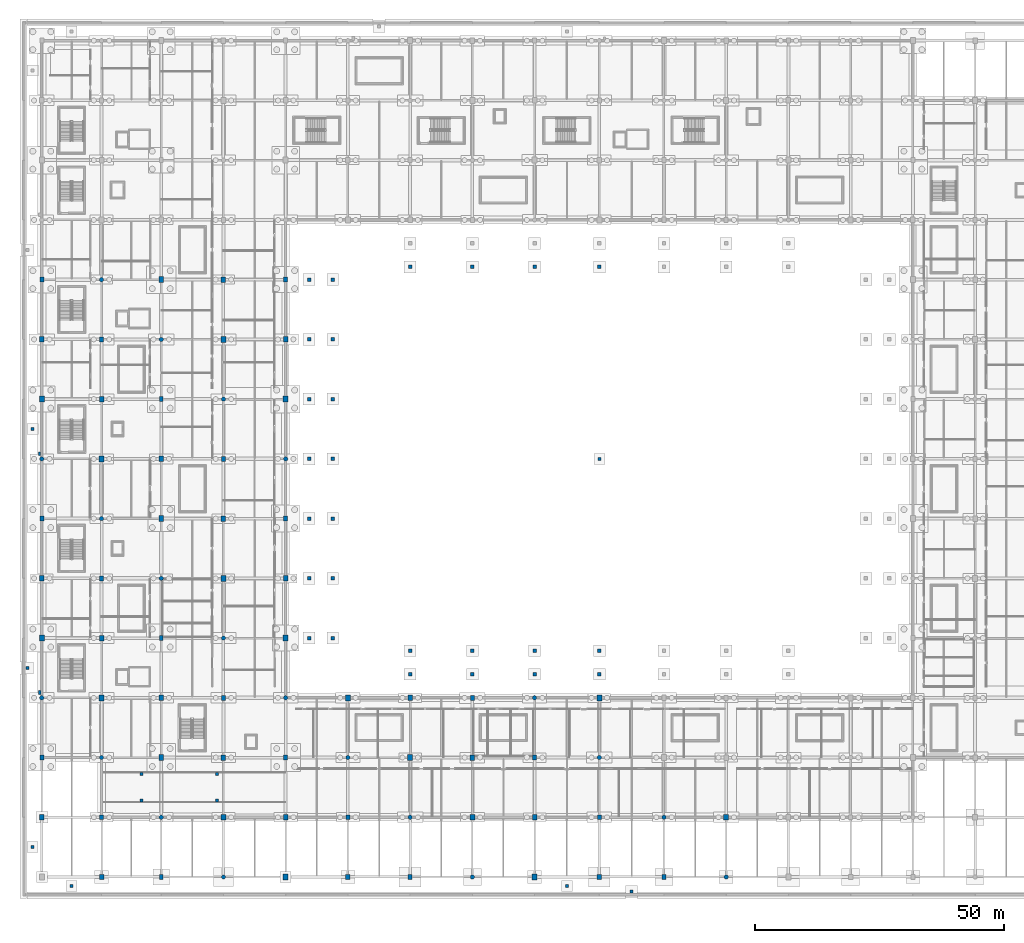
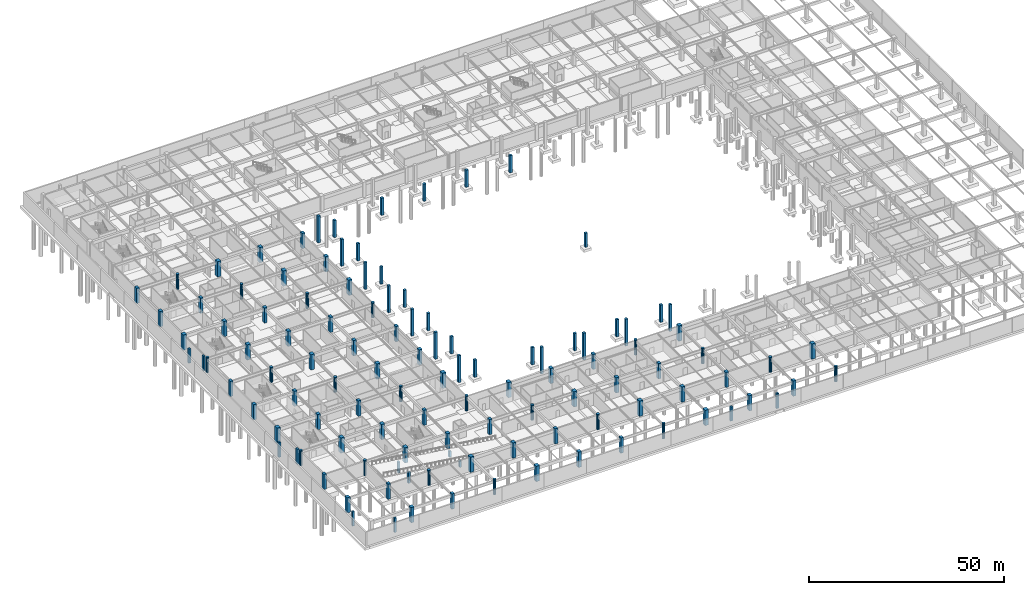
# One storey, part 12 of 56: 117 columns.
"""IFC4 building model written with IfcOpenShell, lengths in metres."""

from ifc_helpers import new_model, si_unit, direction, frame, origin, origin_2d, place, context, subcontext, project, spatial, rectangle, circle, extrude, material, material_profile, profile_set, type_object, element, save


model = new_model("IFC4")

# Units and contexts
model_context = context("Model", 3, precision=1e-05, world=origin(), true_north=direction((0.0, 1.0)))
body_context = subcontext(model_context, "Body", "Model", "MODEL_VIEW")
ifc_project = project(units=[si_unit("LENGTHUNIT", "METRE"), si_unit("AREAUNIT", "SQUARE_METRE"), si_unit("VOLUMEUNIT", "CUBIC_METRE"), si_unit("PLANEANGLEUNIT", "RADIAN"), si_unit("MASSUNIT", "GRAM", prefix="KILO")], contexts=[model_context])

# Site, building, storey
site_placement = place(None, origin())
site = spatial("IfcSite", under=ifc_project, at=site_placement, CompositionType="ELEMENT")
building_placement = place(site_placement, origin())
building = spatial("IfcBuilding", under=site, at=building_placement, Name="Kazenohara Klinker Stadium", CompositionType="ELEMENT")
storey_placement = place(building_placement, frame((0.0, 0.0, -4.800048828125)))
storey = spatial("IfcBuildingStorey", under=building, at=storey_placement, Name="B01", CompositionType="ELEMENT", Elevation=-4.800048828125)

# Columns
ifc_material = material(Name="Concrete C40/50", Category="concrete")
ifc_material_profile_1 = material_profile(ifc_material, rectangle(XDim=1.0, YDim=1.199951171875, at=origin_2d()), Name="RC-COL-1200x1000")
ifc_profile_set_1 = profile_set([ifc_material_profile_1], Name="Concrete C40/50")
column_type_1 = type_object("IfcColumnType", Name="COL-RC01", PredefinedType="COLUMN", material=ifc_profile_set_1)
for number, where, z_axis, x_axis, name in (
    (1, (0.0, 48.0, 0.0), (0.0, 0.0, 1.0), (1.0, 0.0, 0.0), "Column C01 B01 1/E"),
    (2, (0.0, 96.0, 0.0), (0.0, 0.0, 1.0), (1.0, 0.0, 0.0), "Column C01 B01 1/J"),
    (3, (12.0, 36.0, 0.0), (0.0, 0.0, 1.0), (1.0, 0.0, 0.0), "Column C01 B01 2/D"),
    (4, (12.0, 84.0, 0.0), (0.0, 0.0, 1.0), (1.0, 0.0, 0.0), "Column C01 B01 2/H"),
    (5, (24.0, 24.0, 0.0), (0.0, 0.0, 1.0), (1.0, 0.0, 0.0), "Column C01 B01 3/C"),
    (6, (24.0, 72.0, 0.0), (0.0, 0.0, 1.0), (1.0, 0.0, 0.0), "Column C01 B01 3/G"),
    (7, (24.0, 120.0, 0.0), (0.0, 0.0, 1.0), (1.0, 0.0, 0.0), "Column C01 B01 3/L"),
    (8, (36.5, 12.0, 0.0), (0.0, 0.0, 1.0), (1.0, 0.0, 0.0), "Column C01 B01 4/B"),
    (9, (36.5, 60.0, 0.0), (0.0, 0.0, 1.0), (1.0, 0.0, 0.0), "Column C01 B01 4/F"),
    (10, (36.5, 108.0, 0.0), (0.0, 0.0, 1.0), (1.0, 0.0, 0.0), "Column C01 B01 4/K"),
    (11, (49.0, 0.0, 0.0), (0.0, 0.0, 1.0), (1.0, 0.0, 0.0), "Column C01 B01 5/A"),
    (12, (49.0, 48.0, 0.0), (0.0, 0.0, 1.0), (1.0, 0.0, 0.0), "Column C01 B01 5/E"),
    (13, (49.0, 96.0, 0.0), (0.0, 0.0, 1.0), (1.0, 0.0, 0.0), "Column C01 B01 5/J"),
    (14, (61.5, 36.0, 0.0), (0.0, 0.0, 1.0), (1.0, 0.0, 0.0), "Column C01 B01 6/D"),
    (15, (74.0, 24.0, 0.0), (0.0, 0.0, 1.0), (1.0, 0.0, 0.0), "Column C01 B01 7/C"),
    (16, (86.5, 12.0, 0.0), (0.0, 0.0, 1.0), (1.0, 0.0, 0.0), "Column C01 B01 8/B"),
    (17, (99.0, 0.0, 0.0), (0.0, 0.0, 1.0), (1.0, 0.0, 0.0), "Column C01 B01 9/A"),
    (18, (112.0, 36.0, 0.0), (0.0, 0.0, 1.0), (1.0, 0.0, 0.0), "Column C01 B01 10/D"),
    (19, (137.5, 12.0, 0.0), (0.0, 0.0, 1.0), (1.0, 0.0, 0.0), "Column C01 B01 12/B"),
):
    element("IfcColumn", number, at=place(storey_placement, frame(where, z_axis=z_axis, x_axis=x_axis)), inside=storey, type_object=column_type_1, Name=name, PredefinedType="COLUMN", context=body_context, shape_type="SweptSolid", body=[
        extrude(rectangle(XDim=1.0, YDim=1.199951171875, at=origin_2d()), origin(), (0.0, 0.0, 1.0), 4.800048828125),
    ])
ifc_material_profile_2 = material_profile(ifc_material, rectangle(XDim=0.89990234375, YDim=1.10009765625, at=origin_2d()), Name="RC-COL-1100x900")
ifc_profile_set_2 = profile_set([ifc_material_profile_2], Name="Concrete C40/50")
column_type_2 = type_object("IfcColumnType", Name="COL-RC02", PredefinedType="COLUMN", material=ifc_profile_set_2)
for number, where, z_axis, x_axis, name in (
    (20, (0.0, 12.0, 0.0), (0.0, 0.0, 1.0), (1.0, 0.0, 0.0), "Column C02 B01 1/B"),
    (21, (0.0, 60.0, 0.0), (0.0, 0.0, 1.0), (1.0, 0.0, 0.0), "Column C02 B01 1/F"),
    (22, (0.0, 108.0, 0.0), (0.0, 0.0, 1.0), (1.0, 0.0, 0.0), "Column C02 B01 1/K"),
    (23, (12.0, 0.0, 0.0), (0.0, 0.0, 1.0), (1.0, 0.0, 0.0), "Column C02 B01 2/A"),
    (24, (12.0, 48.0, 0.0), (0.0, 0.0, 1.0), (1.0, 0.0, 0.0), "Column C02 B01 2/E"),
    (25, (12.0, 96.0, 0.0), (0.0, 0.0, 1.0), (1.0, 0.0, 0.0), "Column C02 B01 2/J"),
    (26, (24.0, 36.0, 0.0), (0.0, 0.0, 1.0), (1.0, 0.0, 0.0), "Column C02 B01 3/D"),
    (27, (24.0, 84.0, 0.0), (0.0, 0.0, 1.0), (1.0, 0.0, 0.0), "Column C02 B01 3/H"),
    (28, (36.5, 24.0, 0.0), (0.0, 0.0, 1.0), (1.0, 0.0, 0.0), "Column C02 B01 4/C"),
    (29, (36.5, 72.0, 0.0), (0.0, 0.0, 1.0), (1.0, 0.0, 0.0), "Column C02 B01 4/G"),
    (30, (36.5, 120.0, 0.0), (0.0, 0.0, 1.0), (1.0, 0.0, 0.0), "Column C02 B01 4/L"),
    (31, (49.0, 12.0, 0.0), (0.0, 0.0, 1.0), (1.0, 0.0, 0.0), "Column C02 B01 5/B"),
    (32, (49.0, 60.0, 0.0), (0.0, 0.0, 1.0), (1.0, 0.0, 0.0), "Column C02 B01 5/F"),
    (33, (49.0, 108.0, 0.0), (0.0, 0.0, 1.0), (1.0, 0.0, 0.0), "Column C02 B01 5/K"),
    (34, (61.5, 0.0, 0.0), (0.0, 0.0, 1.0), (1.0, 0.0, 0.0), "Column C02 B01 6/A"),
    (35, (74.0, 36.0, 0.0), (0.0, 0.0, 1.0), (1.0, 0.0, 0.0), "Column C02 B01 7/D"),
    (36, (86.5, 24.0, 0.0), (0.0, 0.0, 1.0), (1.0, 0.0, 0.0), "Column C02 B01 8/C"),
    (37, (99.0, 12.0, 0.0), (0.0, 0.0, 1.0), (1.0, 0.0, 0.0), "Column C02 B01 9/B"),
    (38, (112.0, 0.0, 0.0), (0.0, 0.0, 1.0), (1.0, 0.0, 0.0), "Column C02 B01 10/A"),
):
    element("IfcColumn", number, at=place(storey_placement, frame(where, z_axis=z_axis, x_axis=x_axis)), inside=storey, type_object=column_type_2, Name=name, PredefinedType="COLUMN", context=body_context, shape_type="SweptSolid", body=[
        extrude(rectangle(XDim=0.89990234375, YDim=1.10009765625, at=origin_2d()), origin(), (0.0, 0.0, 1.0), 4.800048828125),
    ])
ifc_material_profile_3 = material_profile(ifc_material, rectangle(XDim=0.800048828125, YDim=1.0, at=origin_2d()), Name="RC-COL-1000x800")
ifc_profile_set_3 = profile_set([ifc_material_profile_3], Name="Concrete C40/50")
column_type_3 = type_object("IfcColumnType", Name="COL-RC03", PredefinedType="COLUMN", material=ifc_profile_set_3)
for number, where, z_axis, x_axis, name in (
    (39, (0.0, 24.0, 0.0), (0.0, 0.0, 1.0), (1.0, 0.0, 0.0), "Column C03 B01 1/C"),
    (40, (0.0, 72.0, 0.0), (0.0, 0.0, 1.0), (1.0, 0.0, 0.0), "Column C03 B01 1/G"),
    (41, (0.0, 120.0, 0.0), (0.0, 0.0, 1.0), (1.0, 0.0, 0.0), "Column C03 B01 1/L"),
    (42, (12.0, 12.0, 0.0), (0.0, 0.0, 1.0), (1.0, 0.0, 0.0), "Column C03 B01 2/B"),
    (43, (12.0, 60.0, 0.0), (0.0, 0.0, 1.0), (1.0, 0.0, 0.0), "Column C03 B01 2/F"),
    (44, (12.0, 108.0, 0.0), (0.0, 0.0, 1.0), (1.0, 0.0, 0.0), "Column C03 B01 2/K"),
    (45, (24.0, 0.0, 0.0), (0.0, 0.0, 1.0), (1.0, 0.0, 0.0), "Column C03 B01 3/A"),
    (46, (24.0, 48.0, 0.0), (0.0, 0.0, 1.0), (1.0, 0.0, 0.0), "Column C03 B01 3/E"),
    (47, (24.0, 96.0, 0.0), (0.0, 0.0, 1.0), (1.0, 0.0, 0.0), "Column C03 B01 3/J"),
    (48, (36.5, 36.0, 0.0), (0.0, 0.0, 1.0), (1.0, 0.0, 0.0), "Column C03 B01 4/D"),
    (49, (36.5, 84.0, 0.0), (0.0, 0.0, 1.0), (1.0, 0.0, 0.0), "Column C03 B01 4/H"),
    (50, (49.0, 24.0, 0.0), (0.0, 0.0, 1.0), (1.0, 0.0, 0.0), "Column C03 B01 5/C"),
    (51, (49.0, 72.0, 0.0), (0.0, 0.0, 1.0), (1.0, 0.0, 0.0), "Column C03 B01 5/G"),
    (52, (49.0, 120.0, 0.0), (0.0, 0.0, 1.0), (1.0, 0.0, 0.0), "Column C03 B01 5/L"),
    (53, (61.5, 12.0, 0.0), (0.0, 0.0, 1.0), (1.0, 0.0, 0.0), "Column C03 B01 6/B"),
    (54, (74.0, 0.0, 0.0), (0.0, 0.0, 1.0), (1.0, 0.0, 0.0), "Column C03 B01 7/A"),
    (55, (86.5, 36.0, 0.0), (0.0, 0.0, 1.0), (1.0, 0.0, 0.0), "Column C03 B01 8/D"),
    (56, (99.0, 24.0, 0.0), (0.0, 0.0, 1.0), (1.0, 0.0, 0.0), "Column C03 B01 9/C"),
    (57, (112.0, 12.0, 0.0), (0.0, 0.0, 1.0), (1.0, 0.0, 0.0), "Column C03 B01 10/B"),
    (58, (125.0, 0.0, 0.0), (0.0, 0.0, 1.0), (1.0, 0.0, 0.0), "Column C03 B01 11/A"),
):
    element("IfcColumn", number, at=place(storey_placement, frame(where, z_axis=z_axis, x_axis=x_axis)), inside=storey, type_object=column_type_3, Name=name, PredefinedType="COLUMN", context=body_context, shape_type="SweptSolid", body=[
        extrude(rectangle(XDim=0.800048828125, YDim=1.0, at=origin_2d()), origin(), (0.0, 0.0, 1.0), 4.800048828125),
    ])
ifc_material_profile_4 = material_profile(ifc_material, rectangle(XDim=0.699951171875, YDim=0.699951171875, at=origin_2d()), Name="RC-COL-700x700")
ifc_profile_set_4 = profile_set([ifc_material_profile_4], Name="Concrete C40/50")
column_type_4 = type_object("IfcColumnType", Name="COL-RC06", PredefinedType="COLUMN", material=ifc_profile_set_4)
column_1_placement = place(storey_placement, frame((58.449951171875, 48.0, 0.0), z_axis=(0.0, 0.0, 1.0), x_axis=(1.0, 0.0, 0.0)))
element("IfcColumn", 59, at=column_1_placement, inside=storey, type_object=column_type_4, Name="Bowl moat raker pier C06 W-E", PredefinedType="COLUMN", context=body_context, shape_type="SweptSolid", body=[
    extrude(rectangle(XDim=0.699951171875, YDim=0.699951171875, at=origin_2d()), origin(), (0.0, 0.0, 1.0), 5.4013671875),
])
column_2_placement = place(storey_placement, frame((53.72509765625, 48.0, 0.0), z_axis=(0.0, 0.0, 1.0), x_axis=(1.0, 0.0, 0.0)))
element("IfcColumn", 60, at=column_2_placement, inside=storey, type_object=column_type_4, Name="Bowl mid-raker pier C06 W-E", PredefinedType="COLUMN", context=body_context, shape_type="SweptSolid", body=[
    extrude(rectangle(XDim=0.699951171875, YDim=0.699951171875, at=origin_2d()), origin(), (0.0, 0.0, 1.0), 8.4013671875),
])
column_3_placement = place(storey_placement, frame((58.449951171875, 60.0, 0.0), z_axis=(0.0, 0.0, 1.0), x_axis=(1.0, 0.0, 0.0)))
element("IfcColumn", 61, at=column_3_placement, inside=storey, type_object=column_type_4, Name="Bowl moat raker pier C06 W-F", PredefinedType="COLUMN", context=body_context, shape_type="SweptSolid", body=[
    extrude(rectangle(XDim=0.699951171875, YDim=0.699951171875, at=origin_2d()), origin(), (0.0, 0.0, 1.0), 5.4013671875),
])
column_4_placement = place(storey_placement, frame((53.72509765625, 60.0, 0.0), z_axis=(0.0, 0.0, 1.0), x_axis=(1.0, 0.0, 0.0)))
element("IfcColumn", 62, at=column_4_placement, inside=storey, type_object=column_type_4, Name="Bowl mid-raker pier C06 W-F", PredefinedType="COLUMN", context=body_context, shape_type="SweptSolid", body=[
    extrude(rectangle(XDim=0.699951171875, YDim=0.699951171875, at=origin_2d()), origin(), (0.0, 0.0, 1.0), 8.4013671875),
])
column_5_placement = place(storey_placement, frame((58.449951171875, 72.0, 0.0), z_axis=(0.0, 0.0, 1.0), x_axis=(1.0, 0.0, 0.0)))
element("IfcColumn", 63, at=column_5_placement, inside=storey, type_object=column_type_4, Name="Bowl moat raker pier C06 W-G", PredefinedType="COLUMN", context=body_context, shape_type="SweptSolid", body=[
    extrude(rectangle(XDim=0.699951171875, YDim=0.699951171875, at=origin_2d()), origin(), (0.0, 0.0, 1.0), 5.4013671875),
])
column_6_placement = place(storey_placement, frame((53.72509765625, 72.0, 0.0), z_axis=(0.0, 0.0, 1.0), x_axis=(1.0, 0.0, 0.0)))
element("IfcColumn", 64, at=column_6_placement, inside=storey, type_object=column_type_4, Name="Bowl mid-raker pier C06 W-G", PredefinedType="COLUMN", context=body_context, shape_type="SweptSolid", body=[
    extrude(rectangle(XDim=0.699951171875, YDim=0.699951171875, at=origin_2d()), origin(), (0.0, 0.0, 1.0), 8.4013671875),
])
column_7_placement = place(storey_placement, frame((58.449951171875, 84.0, 0.0), z_axis=(0.0, 0.0, 1.0), x_axis=(1.0, 0.0, 0.0)))
element("IfcColumn", 65, at=column_7_placement, inside=storey, type_object=column_type_4, Name="Bowl moat raker pier C06 W-H", PredefinedType="COLUMN", context=body_context, shape_type="SweptSolid", body=[
    extrude(rectangle(XDim=0.699951171875, YDim=0.699951171875, at=origin_2d()), origin(), (0.0, 0.0, 1.0), 5.4013671875),
])
column_8_placement = place(storey_placement, frame((53.72509765625, 84.0, 0.0), z_axis=(0.0, 0.0, 1.0), x_axis=(1.0, 0.0, 0.0)))
element("IfcColumn", 66, at=column_8_placement, inside=storey, type_object=column_type_4, Name="Bowl mid-raker pier C06 W-H", PredefinedType="COLUMN", context=body_context, shape_type="SweptSolid", body=[
    extrude(rectangle(XDim=0.699951171875, YDim=0.699951171875, at=origin_2d()), origin(), (0.0, 0.0, 1.0), 8.4013671875),
])
column_9_placement = place(storey_placement, frame((58.449951171875, 96.0, 0.0), z_axis=(0.0, 0.0, 1.0), x_axis=(1.0, 0.0, 0.0)))
element("IfcColumn", 67, at=column_9_placement, inside=storey, type_object=column_type_4, Name="Bowl moat raker pier C06 W-J", PredefinedType="COLUMN", context=body_context, shape_type="SweptSolid", body=[
    extrude(rectangle(XDim=0.699951171875, YDim=0.699951171875, at=origin_2d()), origin(), (0.0, 0.0, 1.0), 5.4013671875),
])
column_10_placement = place(storey_placement, frame((53.72509765625, 96.0, 0.0), z_axis=(0.0, 0.0, 1.0), x_axis=(1.0, 0.0, 0.0)))
element("IfcColumn", 68, at=column_10_placement, inside=storey, type_object=column_type_4, Name="Bowl mid-raker pier C06 W-J", PredefinedType="COLUMN", context=body_context, shape_type="SweptSolid", body=[
    extrude(rectangle(XDim=0.699951171875, YDim=0.699951171875, at=origin_2d()), origin(), (0.0, 0.0, 1.0), 8.4013671875),
])
column_11_placement = place(storey_placement, frame((58.449951171875, 108.0, 0.0), z_axis=(0.0, 0.0, 1.0), x_axis=(1.0, 0.0, 0.0)))
element("IfcColumn", 69, at=column_11_placement, inside=storey, type_object=column_type_4, Name="Bowl moat raker pier C06 W-K", PredefinedType="COLUMN", context=body_context, shape_type="SweptSolid", body=[
    extrude(rectangle(XDim=0.699951171875, YDim=0.699951171875, at=origin_2d()), origin(), (0.0, 0.0, 1.0), 5.4013671875),
])
column_12_placement = place(storey_placement, frame((53.72509765625, 108.0, 0.0), z_axis=(0.0, 0.0, 1.0), x_axis=(1.0, 0.0, 0.0)))
element("IfcColumn", 70, at=column_12_placement, inside=storey, type_object=column_type_4, Name="Bowl mid-raker pier C06 W-K", PredefinedType="COLUMN", context=body_context, shape_type="SweptSolid", body=[
    extrude(rectangle(XDim=0.699951171875, YDim=0.699951171875, at=origin_2d()), origin(), (0.0, 0.0, 1.0), 8.4013671875),
])
column_13_placement = place(storey_placement, frame((58.449951171875, 120.0, 0.0), z_axis=(0.0, 0.0, 1.0), x_axis=(1.0, 0.0, 0.0)))
element("IfcColumn", 71, at=column_13_placement, inside=storey, type_object=column_type_4, Name="Bowl moat raker pier C06 W-L", PredefinedType="COLUMN", context=body_context, shape_type="SweptSolid", body=[
    extrude(rectangle(XDim=0.699951171875, YDim=0.699951171875, at=origin_2d()), origin(), (0.0, 0.0, 1.0), 5.4013671875),
])
column_14_placement = place(storey_placement, frame((53.72509765625, 120.0, 0.0), z_axis=(0.0, 0.0, 1.0), x_axis=(1.0, 0.0, 0.0)))
element("IfcColumn", 72, at=column_14_placement, inside=storey, type_object=column_type_4, Name="Bowl mid-raker pier C06 W-L", PredefinedType="COLUMN", context=body_context, shape_type="SweptSolid", body=[
    extrude(rectangle(XDim=0.699951171875, YDim=0.699951171875, at=origin_2d()), origin(), (0.0, 0.0, 1.0), 8.4013671875),
])
column_15_placement = place(storey_placement, frame((74.0, 45.449951171875, 0.0), z_axis=(0.0, 0.0, 1.0), x_axis=(1.0, 0.0, 0.0)))
element("IfcColumn", 73, at=column_15_placement, inside=storey, type_object=column_type_4, Name="Bowl moat raker pier C06 S-7", PredefinedType="COLUMN", context=body_context, shape_type="SweptSolid", body=[
    extrude(rectangle(XDim=0.699951171875, YDim=0.699951171875, at=origin_2d()), origin(), (0.0, 0.0, 1.0), 5.4013671875),
])
column_16_placement = place(storey_placement, frame((74.0, 40.72509765625, 0.0), z_axis=(0.0, 0.0, 1.0), x_axis=(1.0, 0.0, 0.0)))
element("IfcColumn", 74, at=column_16_placement, inside=storey, type_object=column_type_4, Name="Bowl mid-raker pier C06 S-7", PredefinedType="COLUMN", context=body_context, shape_type="SweptSolid", body=[
    extrude(rectangle(XDim=0.699951171875, YDim=0.699951171875, at=origin_2d()), origin(), (0.0, 0.0, 1.0), 8.4013671875),
])
for number, where, z_axis, x_axis, name in (
    (75, (74.0, 122.550048828125, 0.0), (0.0, 0.0, 1.0), (1.0, 0.0, 0.0), "Bowl moat raker pier C06 N-7"),
    (76, (86.5, 45.449951171875, 0.0), (0.0, 0.0, 1.0), (1.0, 0.0, 0.0), "Bowl moat raker pier C06 S-8"),
):
    element("IfcColumn", number, at=place(storey_placement, frame(where, z_axis=z_axis, x_axis=x_axis)), inside=storey, type_object=column_type_4, Name=name, PredefinedType="COLUMN", context=body_context, shape_type="SweptSolid", body=[
        extrude(rectangle(XDim=0.699951171875, YDim=0.699951171875, at=origin_2d()), origin(), (0.0, 0.0, 1.0), 5.4013671875),
    ])
column_17_placement = place(storey_placement, frame((86.5, 40.72509765625, 0.0), z_axis=(0.0, 0.0, 1.0), x_axis=(1.0, 0.0, 0.0)))
element("IfcColumn", 77, at=column_17_placement, inside=storey, type_object=column_type_4, Name="Bowl mid-raker pier C06 S-8", PredefinedType="COLUMN", context=body_context, shape_type="SweptSolid", body=[
    extrude(rectangle(XDim=0.699951171875, YDim=0.699951171875, at=origin_2d()), origin(), (0.0, 0.0, 1.0), 8.4013671875),
])
for number, where, z_axis, x_axis, name in (
    (78, (86.5, 122.550048828125, 0.0), (0.0, 0.0, 1.0), (1.0, 0.0, 0.0), "Bowl moat raker pier C06 N-8"),
    (79, (99.0, 45.449951171875, 0.0), (0.0, 0.0, 1.0), (1.0, 0.0, 0.0), "Bowl moat raker pier C06 S-9"),
):
    element("IfcColumn", number, at=place(storey_placement, frame(where, z_axis=z_axis, x_axis=x_axis)), inside=storey, type_object=column_type_4, Name=name, PredefinedType="COLUMN", context=body_context, shape_type="SweptSolid", body=[
        extrude(rectangle(XDim=0.699951171875, YDim=0.699951171875, at=origin_2d()), origin(), (0.0, 0.0, 1.0), 5.4013671875),
    ])
column_18_placement = place(storey_placement, frame((99.0, 40.72509765625, 0.0), z_axis=(0.0, 0.0, 1.0), x_axis=(1.0, 0.0, 0.0)))
element("IfcColumn", 80, at=column_18_placement, inside=storey, type_object=column_type_4, Name="Bowl mid-raker pier C06 S-9", PredefinedType="COLUMN", context=body_context, shape_type="SweptSolid", body=[
    extrude(rectangle(XDim=0.699951171875, YDim=0.699951171875, at=origin_2d()), origin(), (0.0, 0.0, 1.0), 8.4013671875),
])
for number, where, z_axis, x_axis, name in (
    (81, (99.0, 122.550048828125, 0.0), (0.0, 0.0, 1.0), (1.0, 0.0, 0.0), "Bowl moat raker pier C06 N-9"),
    (82, (112.0, 45.449951171875, 0.0), (0.0, 0.0, 1.0), (1.0, 0.0, 0.0), "Bowl moat raker pier C06 S-10"),
):
    element("IfcColumn", number, at=place(storey_placement, frame(where, z_axis=z_axis, x_axis=x_axis)), inside=storey, type_object=column_type_4, Name=name, PredefinedType="COLUMN", context=body_context, shape_type="SweptSolid", body=[
        extrude(rectangle(XDim=0.699951171875, YDim=0.699951171875, at=origin_2d()), origin(), (0.0, 0.0, 1.0), 5.4013671875),
    ])
column_19_placement = place(storey_placement, frame((112.0, 40.72509765625, 0.0), z_axis=(0.0, 0.0, 1.0), x_axis=(1.0, 0.0, 0.0)))
element("IfcColumn", 83, at=column_19_placement, inside=storey, type_object=column_type_4, Name="Bowl mid-raker pier C06 S-10", PredefinedType="COLUMN", context=body_context, shape_type="SweptSolid", body=[
    extrude(rectangle(XDim=0.699951171875, YDim=0.699951171875, at=origin_2d()), origin(), (0.0, 0.0, 1.0), 8.4013671875),
])
column_20_placement = place(storey_placement, frame((112.0, 122.550048828125, 0.0), z_axis=(0.0, 0.0, 1.0), x_axis=(1.0, 0.0, 0.0)))
element("IfcColumn", 84, at=column_20_placement, inside=storey, type_object=column_type_4, Name="Bowl moat raker pier C06 N-10", PredefinedType="COLUMN", context=body_context, shape_type="SweptSolid", body=[
    extrude(rectangle(XDim=0.699951171875, YDim=0.699951171875, at=origin_2d()), origin(), (0.0, 0.0, 1.0), 5.4013671875),
])
ifc_material_profile_5 = material_profile(ifc_material, rectangle(XDim=0.60009765625, YDim=0.60009765625, at=origin_2d()), Name="RC-COL-600x600")
ifc_profile_set_5 = profile_set([ifc_material_profile_5], Name="Concrete C40/50")
column_type_5 = type_object("IfcColumnType", Name="COL-RC07", PredefinedType="COLUMN", material=ifc_profile_set_5)
for number, where, z_axis, x_axis, name in (
    (85, (-1.85009765625, 6.0, 0.0), (0.0, 0.0, 1.0), (1.0, 0.0, 0.0), "Exterior plinth support pier C07 PLAZA-WEST-1"),
    (86, (-1.85009765625, 90.0, 0.0), (0.0, 0.0, 1.0), (1.0, 0.0, 0.0), "Exterior plinth support pier C07 PLAZA-WEST-2"),
    (87, (6.0, -1.85009765625, 0.0), (0.0, 0.0, 1.0), (1.0, 0.0, 0.0), "Exterior plinth support pier C07 PLAZA-SOUTH-1"),
    (88, (105.5, -1.85009765625, 0.0), (0.0, 0.0, 1.0), (1.0, 0.0, 0.0), "Exterior plinth support pier C07 PLAZA-SOUTH-2"),
    (89, (112.0, 84.0, 0.0), (0.0, 0.0, 1.0), (1.0, 0.0, 0.0), "Exterior plinth support pier C07 PITCH-BOWL-TURF-1"),
):
    element("IfcColumn", number, at=place(storey_placement, frame(where, z_axis=z_axis, x_axis=x_axis)), inside=storey, type_object=column_type_5, Name=name, PredefinedType="COLUMN", context=body_context, shape_type="SweptSolid", body=[
        extrude(rectangle(XDim=0.60009765625, YDim=0.60009765625, at=origin_2d()), origin(), (0.0, 0.0, 1.0), 4.4599609375),
    ])
for number, where, z_axis, x_axis, name in (
    (90, (20.0, 15.35009765625, 0.0), (0.0, 0.0, 1.0), (1.0, 0.0, 0.0), "Vehicle ramp RV01 RC support pier 1"),
    (91, (20.0, 20.64990234375, 0.0), (0.0, 0.0, 1.0), (1.0, 0.0, 0.0), "Vehicle ramp RV01 RC support pier 2"),
):
    element("IfcColumn", number, at=place(storey_placement, frame(where, z_axis=z_axis, x_axis=x_axis)), inside=storey, type_object=column_type_5, Name=name, PredefinedType="COLUMN", context=body_context, shape_type="SweptSolid", body=[
        extrude(rectangle(XDim=0.60009765625, YDim=0.60009765625, at=origin_2d()), origin(), (0.0, 0.0, 1.0), 3.522216796875),
    ])
for number, where, z_axis, x_axis, name in (
    (92, (35.199951171875, 15.35009765625, -0.300048828125), (0.0, 0.0, 1.0), (1.0, 0.0, 0.0), "Vehicle ramp RV01 RC support pier 3"),
    (93, (35.199951171875, 20.64990234375, -0.300048828125), (0.0, 0.0, 1.0), (1.0, 0.0, 0.0), "Vehicle ramp RV01 RC support pier 4"),
):
    element("IfcColumn", number, at=place(storey_placement, frame(where, z_axis=z_axis, x_axis=x_axis)), inside=storey, type_object=column_type_5, Name=name, PredefinedType="COLUMN", context=body_context, shape_type="SweptSolid", body=[
        extrude(rectangle(XDim=0.60009765625, YDim=0.60009765625, at=origin_2d()), origin(), (0.0, 0.0, 1.0), 1.82666015625),
    ])
for number, where, z_axis, x_axis, name in (
    (94, (-2.89990234375, 42.0, 0.0), (0.0, 0.0, 1.0), (1.0, 0.0, 0.0), "Barrier-free ramp support pier W1"),
    (95, (118.5, -2.89990234375, 0.0), (0.0, 0.0, 1.0), (1.0, 0.0, 0.0), "Barrier-free ramp support pier S1"),
):
    element("IfcColumn", number, at=place(storey_placement, frame(where, z_axis=z_axis, x_axis=x_axis)), inside=storey, type_object=column_type_5, Name=name, PredefinedType="COLUMN", context=body_context, shape_type="SweptSolid", body=[
        extrude(rectangle(XDim=0.60009765625, YDim=0.60009765625, at=origin_2d()), origin(), (0.0, 0.0, 1.0), 4.699951171875),
    ])
ifc_material_profile_6 = material_profile(ifc_material, circle(Radius=0.425048828125, at=origin_2d()), Name="RC-COL-D850")
ifc_profile_set_6 = profile_set([ifc_material_profile_6], Name="Concrete C40/50")
column_type_6 = type_object("IfcColumnType", Name="COL-RC08", PredefinedType="COLUMN", material=ifc_profile_set_6)
for number, where, z_axis, x_axis, name in (
    (96, (0.0, 36.0, 0.0), (0.0, 0.0, 1.0), (1.0, 0.0, 0.0), "Column C08 B01 1/D"),
    (97, (0.0, 84.0, 0.0), (0.0, 0.0, 1.0), (1.0, 0.0, 0.0), "Column C08 B01 1/H"),
    (98, (12.0, 24.0, 0.0), (0.0, 0.0, 1.0), (1.0, 0.0, 0.0), "Column C08 B01 2/C"),
    (99, (12.0, 72.0, 0.0), (0.0, 0.0, 1.0), (1.0, 0.0, 0.0), "Column C08 B01 2/G"),
    (100, (12.0, 120.0, 0.0), (0.0, 0.0, 1.0), (1.0, 0.0, 0.0), "Column C08 B01 2/L"),
    (101, (24.0, 12.0, 0.0), (0.0, 0.0, 1.0), (1.0, 0.0, 0.0), "Column C08 B01 3/B"),
    (102, (24.0, 60.0, 0.0), (0.0, 0.0, 1.0), (1.0, 0.0, 0.0), "Column C08 B01 3/F"),
    (103, (24.0, 108.0, 0.0), (0.0, 0.0, 1.0), (1.0, 0.0, 0.0), "Column C08 B01 3/K"),
    (104, (36.5, 0.0, 0.0), (0.0, 0.0, 1.0), (1.0, 0.0, 0.0), "Column C08 B01 4/A"),
    (105, (36.5, 48.0, 0.0), (0.0, 0.0, 1.0), (1.0, 0.0, 0.0), "Column C08 B01 4/E"),
    (106, (36.5, 96.0, 0.0), (0.0, 0.0, 1.0), (1.0, 0.0, 0.0), "Column C08 B01 4/J"),
    (107, (49.0, 36.0, 0.0), (0.0, 0.0, 1.0), (1.0, 0.0, 0.0), "Column C08 B01 5/D"),
    (108, (49.0, 84.0, 0.0), (0.0, 0.0, 1.0), (1.0, 0.0, 0.0), "Column C08 B01 5/H"),
    (109, (61.5, 24.0, 0.0), (0.0, 0.0, 1.0), (1.0, 0.0, 0.0), "Column C08 B01 6/C"),
    (110, (74.0, 12.0, 0.0), (0.0, 0.0, 1.0), (1.0, 0.0, 0.0), "Column C08 B01 7/B"),
    (111, (86.5, 0.0, 0.0), (0.0, 0.0, 1.0), (1.0, 0.0, 0.0), "Column C08 B01 8/A"),
    (112, (99.0, 36.0, 0.0), (0.0, 0.0, 1.0), (1.0, 0.0, 0.0), "Column C08 B01 9/D"),
    (113, (112.0, 24.0, 0.0), (0.0, 0.0, 1.0), (1.0, 0.0, 0.0), "Column C08 B01 10/C"),
    (114, (125.0, 12.0, 0.0), (0.0, 0.0, 1.0), (1.0, 0.0, 0.0), "Column C08 B01 11/B"),
    (115, (137.5, 0.0, 0.0), (0.0, 0.0, 1.0), (1.0, 0.0, 0.0), "Column C08 B01 12/A"),
):
    element("IfcColumn", number, at=place(storey_placement, frame(where, z_axis=z_axis, x_axis=x_axis)), inside=storey, type_object=column_type_6, Name=name, PredefinedType="COLUMN", context=body_context, shape_type="SweptSolid", body=[
        extrude(circle(Radius=0.425048828125, at=origin_2d()), origin(), (0.0, 0.0, 1.0), 4.800048828125),
    ])
ifc_material_profile_7 = material_profile(ifc_material, rectangle(XDim=0.449951171875, YDim=0.64990234375, at=origin_2d()), Name="RC-PILASTER-450x650")
ifc_profile_set_7 = profile_set([ifc_material_profile_7], Name="Concrete C40/50")
column_type_7 = type_object("IfcColumnType", Name="PIL-RC01", PredefinedType="PILASTER", material=ifc_profile_set_7)
column_21_placement = place(storey_placement, frame((-0.449951171875, 85.050048828125, 0.0), z_axis=(0.0, 0.0, 1.0), x_axis=(1.0, 0.0, 0.0)))
element("IfcColumn", 116, at=column_21_placement, inside=storey, type_object=column_type_7, Name="Pleated facade pilaster PL01 B01 West-07", PredefinedType="PILASTER", context=body_context, shape_type="SweptSolid", body=[
    extrude(rectangle(XDim=0.449951171875, YDim=0.64990234375, at=origin_2d()), origin(), (0.0, 0.0, 1.0), 4.800048828125),
])
ifc_material_profile_8 = material_profile(ifc_material, rectangle(XDim=0.5, YDim=0.75, at=origin_2d()), Name="RC-PILASTER-500x750")
ifc_profile_set_8 = profile_set([ifc_material_profile_8], Name="Concrete C40/50")
column_type_8 = type_object("IfcColumnType", Name="PIL-RC02", PredefinedType="PILASTER", material=ifc_profile_set_8)
column_22_placement = place(storey_placement, frame((-0.449951171875, 37.050048828125, 0.0), z_axis=(0.0, 0.0, 1.0), x_axis=(1.0, 0.0, 0.0)))
element("IfcColumn", 117, at=column_22_placement, inside=storey, type_object=column_type_8, Name="Pleated facade pilaster PL02 B01 West-03", PredefinedType="PILASTER", context=body_context, shape_type="SweptSolid", body=[
    extrude(rectangle(XDim=0.5, YDim=0.75, at=origin_2d()), origin(), (0.0, 0.0, 1.0), 4.800048828125),
])

save(model, "model.ifc")
